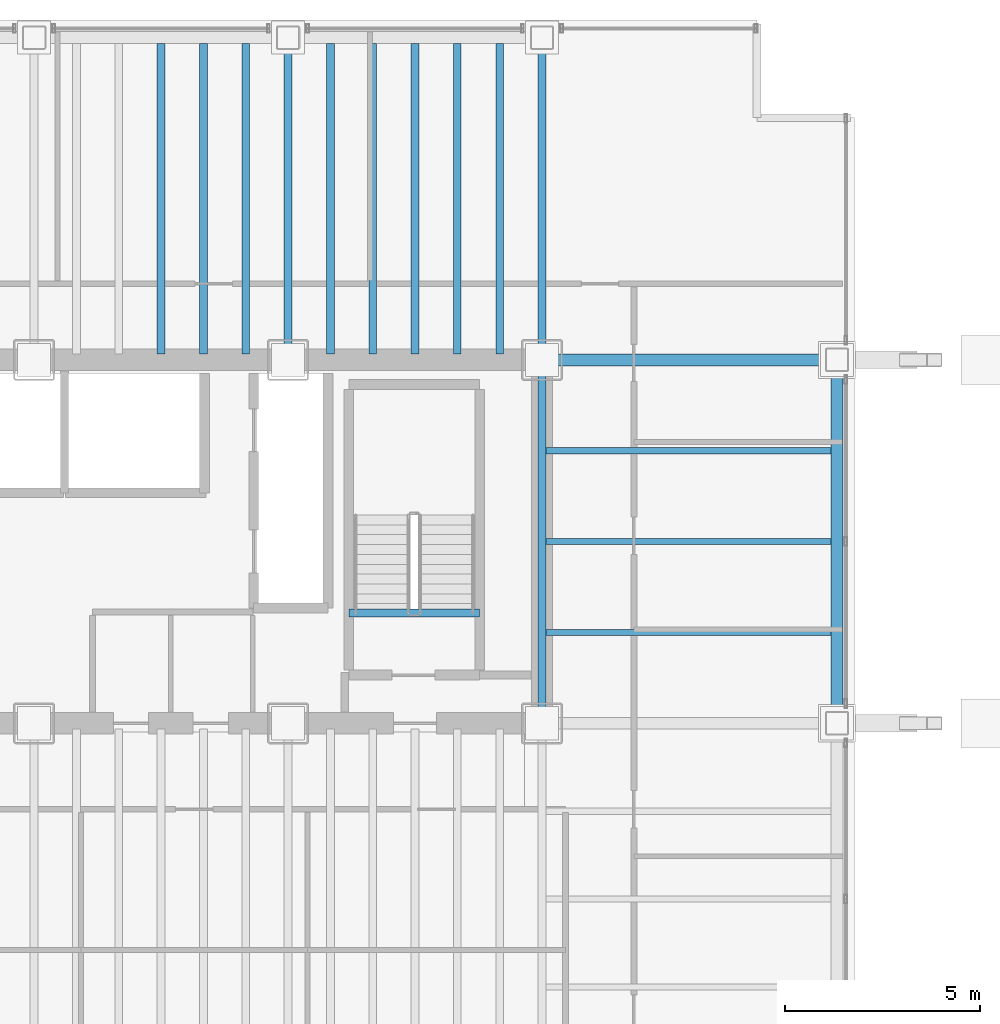
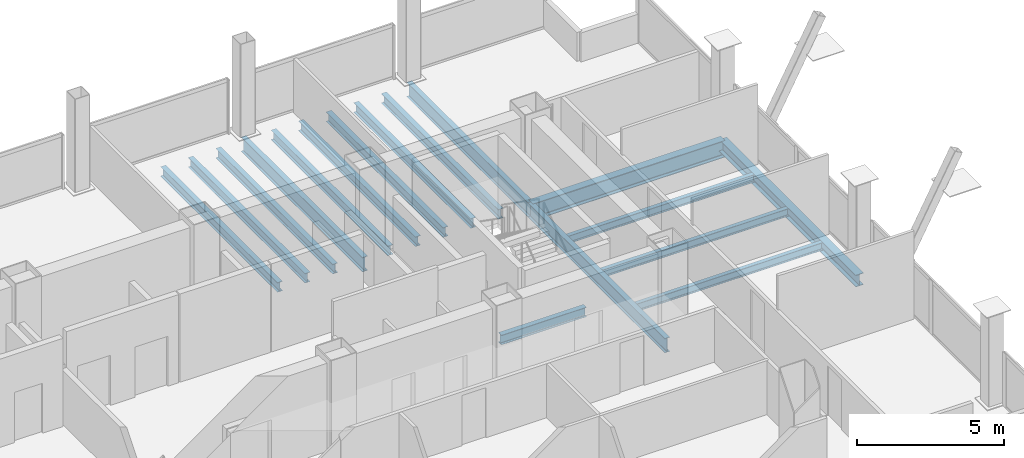
# One storey, part 12 of 21: 17 beams.
"""IFC4 building model written with IfcOpenShell, lengths in metres."""

from ifc_helpers import new_model, si_unit, direction, frame, origin, origin_2d, place, context, subcontext, project, spatial, i_section, extrude, material, material_profile, profile_set, type_object, element, save


model = new_model("IFC4")

# Units and contexts
model_context = context("Model", 3, precision=1e-05, world=origin(), true_north=direction((0.0, 1.0)))
body_context = subcontext(model_context, "Body", "Model", "MODEL_VIEW")
ifc_project = project(units=[si_unit("LENGTHUNIT", "METRE"), si_unit("AREAUNIT", "SQUARE_METRE"), si_unit("VOLUMEUNIT", "CUBIC_METRE"), si_unit("PLANEANGLEUNIT", "RADIAN"), si_unit("MASSUNIT", "GRAM", prefix="KILO")], contexts=[model_context])

# Site, building, storey
site_placement = place(None, origin())
site = spatial("IfcSite", under=ifc_project, at=site_placement, CompositionType="ELEMENT")
building_placement = place(site_placement, origin())
building = spatial("IfcBuilding", under=site, at=building_placement, Name="Noeulbin Bourse Tower", CompositionType="ELEMENT")
storey_placement = place(building_placement, frame((0.0, 0.0, 49.89990234375)))
storey = spatial("IfcBuildingStorey", under=building, at=storey_placement, Name="L12", CompositionType="ELEMENT", Elevation=49.89990234375)

# Beams
ifc_material = material(Name="Steel S355", Category="steel")
ifc_material_profile_1 = material_profile(ifc_material, i_section(OverallWidth=0.199951171875, OverallDepth=0.60009765625, WebThickness=0.010986328125, FlangeThickness=0.01708984375, FilletRadius=0.02197265625, at=origin_2d()), Name="H-600x200x11x17", Category="LoadBearing")
ifc_profile_set_1 = profile_set([ifc_material_profile_1], Name="Steel S355")
beam_type_1 = type_object("IfcBeamType", Name="BM-GRD-600", PredefinedType="USERDEFINED", material=ifc_profile_set_1)
beam_1_placement = place(storey_placement, frame((37.5, 38.300048828125, -0.47998046875), z_axis=(0.0, 1.0, 0.0), x_axis=(-1.0, 0.0, 0.0)))
element("IfcBeam", 1, at=beam_1_placement, inside=storey, type_object=beam_type_1, Name="Tower Primary Girder NS L12-4.4", ObjectType="GIRDER", PredefinedType="USERDEFINED", context=body_context, shape_type="SweptSolid", body=[
    extrude(i_section(OverallWidth=0.199951171875, OverallDepth=0.60009765625, WebThickness=0.010986328125, FlangeThickness=0.01708984375, FilletRadius=0.02197265625, at=origin_2d()), origin(), (0.0, 0.0, 1.0), 8.25),
])
beam_2_placement = place(storey_placement, frame((44.0, 29.0, -0.47998046875), z_axis=(0.0, 1.0, 0.0), x_axis=(-1.0, 0.0, 0.0)))
element("IfcBeam", 2, at=beam_2_placement, inside=storey, type_object=beam_type_1, Name="Tower Primary Girder NS L12-5.3", ObjectType="GIRDER", PredefinedType="USERDEFINED", context=body_context, shape_type="SweptSolid", body=[
    extrude(i_section(OverallWidth=0.199951171875, OverallDepth=0.60009765625, WebThickness=0.010986328125, FlangeThickness=0.01708984375, FilletRadius=0.02197265625, at=origin_2d()), origin(), (0.0, 0.0, 1.0), 9.300048828125),
])
beam_3_placement = place(storey_placement, frame((44.0, 38.300048828125, -0.47998046875), z_axis=(0.0, 1.0, 0.0), x_axis=(-1.0, 0.0, 0.0)))
element("IfcBeam", 3, at=beam_3_placement, inside=storey, type_object=beam_type_1, Name="Tower Primary Girder NS L12-5.4", ObjectType="GIRDER", PredefinedType="USERDEFINED", context=body_context, shape_type="SweptSolid", body=[
    extrude(i_section(OverallWidth=0.199951171875, OverallDepth=0.60009765625, WebThickness=0.010986328125, FlangeThickness=0.01708984375, FilletRadius=0.02197265625, at=origin_2d()), origin(), (0.0, 0.0, 1.0), 8.25),
])
ifc_material_profile_2 = material_profile(ifc_material, i_section(OverallWidth=0.300048828125, OverallDepth=0.699951171875, WebThickness=0.012939453125, FlangeThickness=0.02392578125, FilletRadius=0.02392578125, at=origin_2d()), Name="H-700x300x13x24", Category="LoadBearing")
ifc_profile_set_2 = profile_set([ifc_material_profile_2], Name="Steel S355")
beam_type_2 = type_object("IfcBeamType", Name="BM-GRD-700", PredefinedType="USERDEFINED", material=ifc_profile_set_2)
beam_4_placement = place(storey_placement, frame((44.0, 38.300048828125, -0.52978515625), z_axis=(1.0, 0.0, 0.0), x_axis=(0.0, 1.0, 0.0)))
element("IfcBeam", 4, at=beam_4_placement, inside=storey, type_object=beam_type_2, Name="Tower Primary Girder EW L12-3.6", ObjectType="GIRDER", PredefinedType="USERDEFINED", context=body_context, shape_type="SweptSolid", body=[
    extrude(i_section(OverallWidth=0.300048828125, OverallDepth=0.699951171875, WebThickness=0.012939453125, FlangeThickness=0.02392578125, FilletRadius=0.02392578125, at=origin_2d()), origin(), (0.0, 0.0, 1.0), 7.550048828125),
])
ifc_material_profile_3 = material_profile(ifc_material, i_section(OverallWidth=0.159912109375, OverallDepth=0.320068359375, WebThickness=0.006591796875, FlangeThickness=0.010009765625, FilletRadius=0.012939453125, at=origin_2d()), Name="H-320x160x6.5x10", Category="LoadBearing")
ifc_profile_set_3 = profile_set([ifc_material_profile_3], Name="Steel S355")
beam_type_3 = type_object("IfcBeamType", Name="BM-JST-320", PredefinedType="JOIST", material=ifc_profile_set_3)
for number, where, z_axis, x_axis, name in (
    (5, (44.10009765625, 31.324951171875, -0.33984375), (1.0, 0.0, 0.0), (0.0, 1.0, 0.0), "Wing Composite Joist L12-E79"),
    (6, (44.10009765625, 33.64990234375, -0.33984375), (1.0, 0.0, 0.0), (0.0, 1.0, 0.0), "Wing Composite Joist L12-E80"),
    (7, (44.10009765625, 35.97509765625, -0.33984375), (1.0, 0.0, 0.0), (0.0, 1.0, 0.0), "Wing Composite Joist L12-E81"),
):
    element("IfcBeam", number, at=place(storey_placement, frame(where, z_axis=z_axis, x_axis=x_axis)), inside=storey, type_object=beam_type_3, Name=name, PredefinedType="JOIST", context=body_context, shape_type="SweptSolid", body=[
        extrude(i_section(OverallWidth=0.159912109375, OverallDepth=0.320068359375, WebThickness=0.006591796875, FlangeThickness=0.010009765625, FilletRadius=0.012939453125, at=origin_2d()), origin(), (0.0, 0.0, 1.0), 7.2998046875),
    ])
ifc_material_profile_4 = material_profile(ifc_material, i_section(OverallWidth=0.199951171875, OverallDepth=0.39990234375, WebThickness=0.008056640625, FlangeThickness=0.012939453125, FilletRadius=0.01611328125, at=origin_2d()), Name="H-400x200x8x13", Category="LoadBearing")
ifc_profile_set_4 = profile_set([ifc_material_profile_4], Name="Steel S355")
beam_type_4 = type_object("IfcBeamType", Name="BM-SEC-400", PredefinedType="BEAM", material=ifc_profile_set_4)
for number, where, z_axis, x_axis, name in (
    (8, (34.25, 38.449951171875, -0.3798828125), (0.0, 1.0, 0.0), (-1.0, 0.0, 0.0), "Tower Composite Joist L12-48"),
    (9, (35.333251953125, 38.449951171875, -0.3798828125), (0.0, 1.0, 0.0), (-1.0, 0.0, 0.0), "Tower Composite Joist L12-51"),
    (10, (36.416748046875, 38.449951171875, -0.3798828125), (0.0, 1.0, 0.0), (-1.0, 0.0, 0.0), "Tower Composite Joist L12-54"),
    (11, (38.583251953125, 38.449951171875, -0.3798828125), (0.0, 1.0, 0.0), (-1.0, 0.0, 0.0), "Tower Composite Joist L12-57"),
    (12, (39.666748046875, 38.449951171875, -0.3798828125), (0.0, 1.0, 0.0), (-1.0, 0.0, 0.0), "Tower Composite Joist L12-60"),
    (13, (40.75, 38.449951171875, -0.3798828125), (0.0, 1.0, 0.0), (-1.0, 0.0, 0.0), "Tower Composite Joist L12-63"),
    (14, (41.833251953125, 38.449951171875, -0.3798828125), (0.0, 1.0, 0.0), (-1.0, 0.0, 0.0), "Tower Composite Joist L12-66"),
    (15, (42.916748046875, 38.449951171875, -0.3798828125), (0.0, 1.0, 0.0), (-1.0, 0.0, 0.0), "Tower Composite Joist L12-69"),
):
    element("IfcBeam", number, at=place(storey_placement, frame(where, z_axis=z_axis, x_axis=x_axis)), inside=storey, type_object=beam_type_4, Name=name, PredefinedType="BEAM", context=body_context, shape_type="SweptSolid", body=[
        extrude(i_section(OverallWidth=0.199951171875, OverallDepth=0.39990234375, WebThickness=0.008056640625, FlangeThickness=0.012939453125, FilletRadius=0.01611328125, at=origin_2d()), origin(), (0.0, 0.0, 1.0), 7.949951171875),
    ])
beam_5_placement = place(storey_placement, frame((39.06005859375, 31.820068359375, -0.199951171875), z_axis=(1.0, 0.0, 0.0), x_axis=(0.0, 1.0, 0.0)))
element("IfcBeam", 16, at=beam_5_placement, inside=storey, type_object=beam_type_4, Name="Stair Threshold Trimmer Beam ST2-L12", PredefinedType="BEAM", context=body_context, shape_type="SweptSolid", body=[
    extrude(i_section(OverallWidth=0.199951171875, OverallDepth=0.39990234375, WebThickness=0.008056640625, FlangeThickness=0.012939453125, FilletRadius=0.01611328125, at=origin_2d()), origin(), (0.0, 0.0, 1.0), 3.33984375),
])
ifc_material_profile_5 = material_profile(ifc_material, i_section(OverallWidth=0.300048828125, OverallDepth=0.488037109375, WebThickness=0.010986328125, FlangeThickness=0.01806640625, FilletRadius=0.02197265625, at=origin_2d()), Name="H-488x300x11x18", Category="LoadBearing")
ifc_profile_set_5 = profile_set([ifc_material_profile_5], Name="Steel S355")
beam_type_5 = type_object("IfcBeamType", Name="BM-SPN-488", PredefinedType="SPANDREL", material=ifc_profile_set_5)
beam_6_placement = place(storey_placement, frame((51.550048828125, 29.0, -0.423828125), z_axis=(0.0, 1.0, 0.0), x_axis=(-1.0, 0.0, 0.0)))
element("IfcBeam", 17, at=beam_6_placement, inside=storey, type_object=beam_type_5, Name="East Spandrel L12-2", PredefinedType="SPANDREL", context=body_context, shape_type="SweptSolid", body=[
    extrude(i_section(OverallWidth=0.300048828125, OverallDepth=0.488037109375, WebThickness=0.010986328125, FlangeThickness=0.01806640625, FilletRadius=0.02197265625, at=origin_2d()), origin(), (0.0, 0.0, 1.0), 9.300048828125),
])

save(model, "model.ifc")
